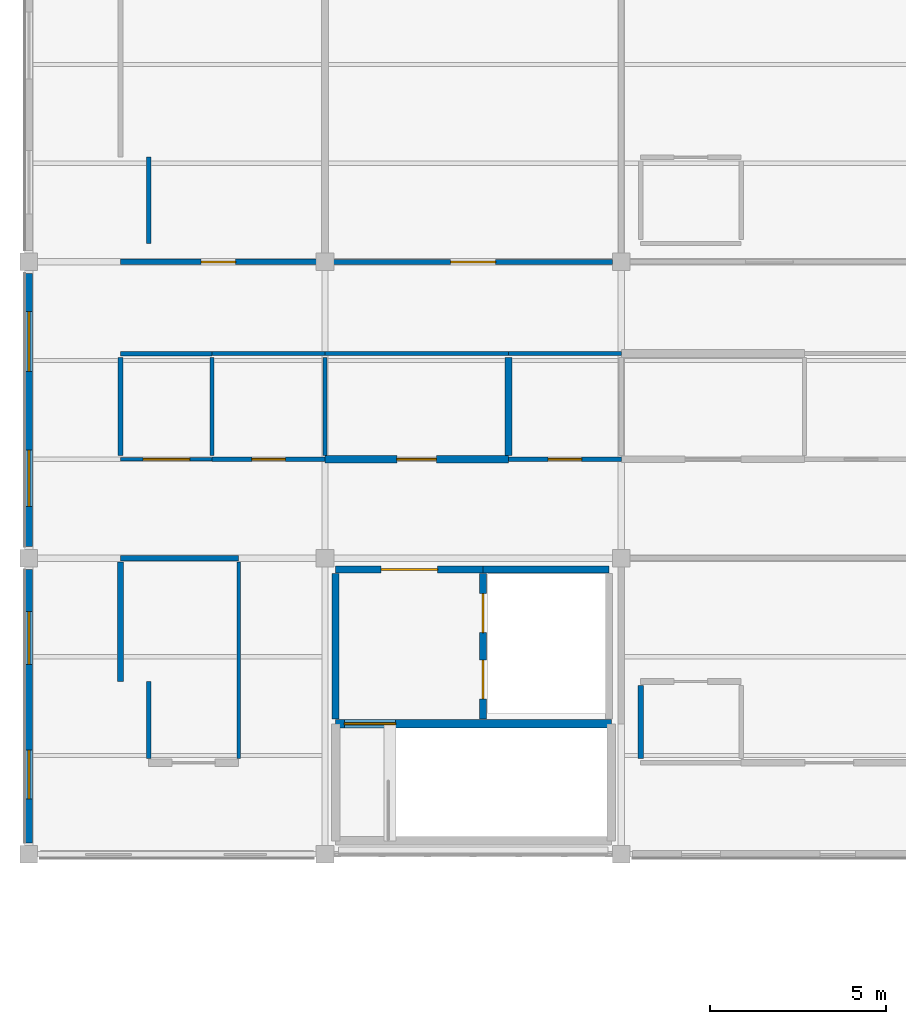
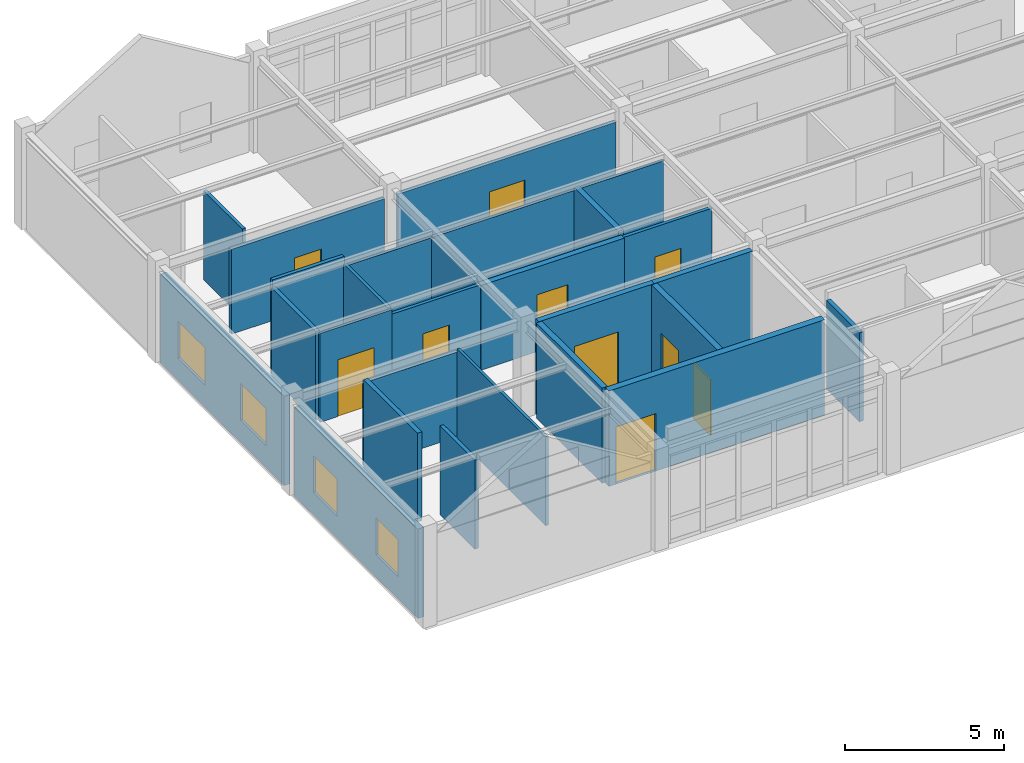
# One storey, part 40 of 45: 27 walls, 10 doors, 4 windows, 14 openings.
"""IFC4 building model written with IfcOpenShell, lengths in metres."""

from ifc_helpers import new_model, si_unit, direction, frame, frame_2d, origin, place, context, subcontext, project, spatial, rectangle, extrude, material, layer, layer_set, type_object, element, fill, save


model = new_model("IFC4")

# Units and contexts
model_context = context("Model", 3, precision=1e-05, world=origin(), true_north=direction((0.0, 1.0)))
body_context = subcontext(model_context, "Body", "Model", "MODEL_VIEW")
ifc_project = project(units=[si_unit("LENGTHUNIT", "METRE"), si_unit("AREAUNIT", "SQUARE_METRE"), si_unit("VOLUMEUNIT", "CUBIC_METRE"), si_unit("PLANEANGLEUNIT", "RADIAN"), si_unit("MASSUNIT", "GRAM", prefix="KILO")], contexts=[model_context])

# Site, building, storey
site_placement = place(None, origin())
site = spatial("IfcSite", under=ifc_project, at=site_placement, CompositionType="ELEMENT")
building_placement = place(site_placement, origin())
building = spatial("IfcBuilding", under=site, at=building_placement, Name="Bramfleet General Hospital", CompositionType="ELEMENT")
storey_placement = place(building_placement, frame((0.0, 0.0, 30.300048828125)))
storey = spatial("IfcBuildingStorey", under=building, at=storey_placement, Name="L07", CompositionType="ELEMENT", Elevation=30.300048828125)

# Wall, openings, windows
ifc_material_1 = material(Name="Structural timber GL28h", Category="wood")
ifc_layer_1 = layer(ifc_material_1, 0.219970703125, Name="WT-EW-10")
ifc_layer_set_1 = layer_set([ifc_layer_1], Name="Structural timber GL28h")
wall_type_1 = type_object("IfcWallType", Name="WT-EW-10", PredefinedType="SOLIDWALL", material=ifc_layer_set_1)
wall_1_placement = place(storey_placement, frame((67.199951171875, 92.72509765625, 0.0), z_axis=(0.0, 0.0, 1.0), x_axis=(0.0, 1.0, 0.0)))
wall_1 = element("IfcWall", 1, at=wall_1_placement, inside=storey, type_object=wall_type_1, Name="L07 Exterior Wall 433", PredefinedType="SOLIDWALL", context=body_context, shape_type="SweptSolid", body=[
    extrude(rectangle(XDim=7.75, YDim=0.219970703125, at=frame_2d((3.875, 0.0))), origin(), (0.0, 0.0, 1.0), 3.419921875),
])
opening_1_placement = place(wall_1_placement, frame((1.237548828125, 0.0, 0.85009765625)))
opening_1 = element("IfcOpeningElement", 2, at=opening_1_placement, cuts=wall_1, Name="Opening W-15", PredefinedType="OPENING", context=body_context, shape_type="SweptSolid", body=[
    extrude(rectangle(XDim=1.39990234375, YDim=1.419921875, at=frame_2d((0.699951171875, 0.7099609375))), frame((0.0, 0.119873046875, 0.0), z_axis=(0.0, -1.0, 0.0), x_axis=(1.0, 0.0, 0.0)), (0.0, 0.0, 1.0), 0.239990234375),
])
opening_2_placement = place(wall_1_placement, frame((5.0625, 0.0, 0.85009765625)))
opening_2 = element("IfcOpeningElement", 3, at=opening_2_placement, cuts=wall_1, Name="Opening W-16", PredefinedType="OPENING", context=body_context, shape_type="SweptSolid", body=[
    extrude(rectangle(XDim=1.5, YDim=1.419921875, at=frame_2d((0.75, 0.7099609375))), frame((0.0, 0.119873046875, 0.0), z_axis=(0.0, -1.0, 0.0), x_axis=(1.0, 0.0, 0.0)), (0.0, 0.0, 1.0), 0.239990234375),
])
ifc_material_2 = material(Name="Anodised aluminium and low-E triple glazing", Category="aluminium")
window_type_1 = type_object("IfcWindowType", Name="WIN-W-15", PartitioningType="SINGLE_PANEL", PredefinedType="WINDOW", material=ifc_material_2)
window_1_placement = place(opening_1_placement, origin())
window_1 = element("IfcWindow", 4, at=window_1_placement, inside=storey, type_object=window_type_1, Name="L07 Facade Window WIN-L07-433-1", OverallHeight=1.419921875, OverallWidth=1.39990234375, PartitioningType="SINGLE_PANEL", PredefinedType="WINDOW", context=body_context, shape_type="SweptSolid", body=[
    extrude(rectangle(XDim=1.39990234375, YDim=1.419921875, at=frame_2d((0.699951171875, 0.7099609375))), frame((0.0, 0.030029296875, 0.0), z_axis=(0.0, -1.0, 0.0), x_axis=(1.0, 0.0, 0.0)), (0.0, 0.0, 1.0), 0.06005859375),
])
fill(opening_1, window_1)
window_type_2 = type_object("IfcWindowType", Name="WIN-W-16", PartitioningType="SINGLE_PANEL", PredefinedType="WINDOW", material=ifc_material_2)
window_2_placement = place(opening_2_placement, origin())
window_2 = element("IfcWindow", 5, at=window_2_placement, inside=storey, type_object=window_type_2, Name="L07 Facade Window WIN-L07-433-2", OverallHeight=1.419921875, OverallWidth=1.5, PartitioningType="SINGLE_PANEL", PredefinedType="WINDOW", context=body_context, shape_type="SweptSolid", body=[
    extrude(rectangle(XDim=1.5, YDim=1.419921875, at=frame_2d((0.75, 0.7099609375))), frame((0.0, 0.030029296875, 0.0), z_axis=(0.0, -1.0, 0.0), x_axis=(1.0, 0.0, 0.0)), (0.0, 0.0, 1.0), 0.06005859375),
])
fill(opening_2, window_2)

wall_2_placement = place(storey_placement, frame((67.199951171875, 101.125, 0.0), z_axis=(0.0, 0.0, 1.0), x_axis=(0.0, 1.0, 0.0)))
wall_2 = element("IfcWall", 6, at=wall_2_placement, inside=storey, type_object=wall_type_1, Name="L07 Exterior Wall 434", PredefinedType="SOLIDWALL", context=body_context, shape_type="SweptSolid", body=[
    extrude(rectangle(XDim=7.75, YDim=0.219970703125, at=frame_2d((3.875, 0.0))), origin(), (0.0, 0.0, 1.0), 3.419921875),
])
opening_3_placement = place(wall_2_placement, frame((1.137451171875, 0.0, 0.85009765625)))
opening_3 = element("IfcOpeningElement", 7, at=opening_3_placement, cuts=wall_2, Name="Opening W-17", PredefinedType="OPENING", context=body_context, shape_type="SweptSolid", body=[
    extrude(rectangle(XDim=1.60009765625, YDim=1.419921875, at=frame_2d((0.800048828125, 0.7099609375))), frame((0.0, 0.119873046875, 0.0), z_axis=(0.0, -1.0, 0.0), x_axis=(1.0, 0.0, 0.0)), (0.0, 0.0, 1.0), 0.239990234375),
])
opening_4_placement = place(wall_2_placement, frame((4.96240234375, 0.0, 0.85009765625)))
opening_4 = element("IfcOpeningElement", 8, at=opening_4_placement, cuts=wall_2, Name="Opening W-18", PredefinedType="OPENING", context=body_context, shape_type="SweptSolid", body=[
    extrude(rectangle(XDim=1.699951171875, YDim=1.419921875, at=frame_2d((0.85009765625, 0.7099609375))), frame((0.0, 0.119873046875, 0.0), z_axis=(0.0, -1.0, 0.0), x_axis=(1.0, 0.0, 0.0)), (0.0, 0.0, 1.0), 0.239990234375),
])
window_type_3 = type_object("IfcWindowType", Name="WIN-W-17", PartitioningType="SINGLE_PANEL", PredefinedType="WINDOW", material=ifc_material_2)
window_3_placement = place(opening_3_placement, origin())
window_3 = element("IfcWindow", 9, at=window_3_placement, inside=storey, type_object=window_type_3, Name="L07 Facade Window WIN-L07-434-1", OverallHeight=1.419921875, OverallWidth=1.60009765625, PartitioningType="SINGLE_PANEL", PredefinedType="WINDOW", context=body_context, shape_type="SweptSolid", body=[
    extrude(rectangle(XDim=1.60009765625, YDim=1.419921875, at=frame_2d((0.800048828125, 0.7099609375))), frame((0.0, 0.030029296875, 0.0), z_axis=(0.0, -1.0, 0.0), x_axis=(1.0, 0.0, 0.0)), (0.0, 0.0, 1.0), 0.06005859375),
])
fill(opening_3, window_3)
window_type_4 = type_object("IfcWindowType", Name="WIN-W-18", PartitioningType="SINGLE_PANEL", PredefinedType="WINDOW", material=ifc_material_2)
window_4_placement = place(opening_4_placement, origin())
window_4 = element("IfcWindow", 10, at=window_4_placement, inside=storey, type_object=window_type_4, Name="L07 Facade Window WIN-L07-434-2", OverallHeight=1.419921875, OverallWidth=1.699951171875, PartitioningType="SINGLE_PANEL", PredefinedType="WINDOW", context=body_context, shape_type="SweptSolid", body=[
    extrude(rectangle(XDim=1.699951171875, YDim=1.419921875, at=frame_2d((0.85009765625, 0.7099609375))), frame((0.0, 0.030029296875, 0.0), z_axis=(0.0, -1.0, 0.0), x_axis=(1.0, 0.0, 0.0)), (0.0, 0.0, 1.0), 0.06005859375),
])
fill(opening_4, window_4)

# Wall, openings, doors
ifc_material_3 = material(Name="Concrete C35/45", Category="concrete")
ifc_layer_2 = layer(ifc_material_3, 0.205078125, Name="WT-IW-02")
ifc_layer_set_2 = layer_set([ifc_layer_2], Name="Concrete C35/45")
wall_type_2 = type_object("IfcWallType", Name="WT-IW-02", PredefinedType="PARTITIONING", material=ifc_layer_set_2)
wall_3_placement = place(storey_placement, frame((80.080078125, 96.239990234375, 0.0), z_axis=(0.0, 0.0, 1.0), x_axis=(0.0, 1.0, 0.0)))
wall_3 = element("IfcWall", 11, at=wall_3_placement, inside=storey, type_object=wall_type_2, Name="L07 C5 Lobby East Shaft Wall", PredefinedType="PARTITIONING", context=body_context, shape_type="SweptSolid", body=[
    extrude(rectangle(XDim=4.1201171875, YDim=0.205078125, at=frame_2d((2.06005859375, 0.0))), origin(), (0.0, 0.0, 1.0), 3.64990234375),
])
opening_5_placement = place(wall_3_placement, frame((0.570068359375, 0.0, 0.0)))
opening_5 = element("IfcOpeningElement", 12, at=opening_5_placement, cuts=wall_3, Name="Opening LD-PL-02-L07", PredefinedType="OPENING", context=body_context, shape_type="SweptSolid", body=[
    extrude(rectangle(XDim=1.10009765625, YDim=2.14990234375, at=frame_2d((0.550048828125, 1.074951171875))), frame((0.0, 0.112548828125, 0.0), z_axis=(0.0, -1.0, 0.0), x_axis=(1.0, 0.0, 0.0)), (0.0, 0.0, 1.0), 0.22509765625),
])
opening_6_placement = place(wall_3_placement, frame((2.449951171875, 0.0, 0.0)))
opening_6 = element("IfcOpeningElement", 13, at=opening_6_placement, cuts=wall_3, Name="Opening LD-PL-03-L07", PredefinedType="OPENING", context=body_context, shape_type="SweptSolid", body=[
    extrude(rectangle(XDim=1.10009765625, YDim=2.14990234375, at=frame_2d((0.550048828125, 1.074951171875))), frame((0.0, 0.112548828125, 0.0), z_axis=(0.0, -1.0, 0.0), x_axis=(1.0, 0.0, 0.0)), (0.0, 0.0, 1.0), 0.22509765625),
])
ifc_material_4 = material(Name="Brushed stainless steel 1.4301", Category="steel")
door_type_1 = type_object("IfcDoorType", Name="DR-LD-02", OperationType="NOTDEFINED", PredefinedType="DOOR", material=ifc_material_4)
door_1_placement = place(opening_5_placement, origin())
door_1 = element("IfcDoor", 14, at=door_1_placement, inside=storey, type_object=door_type_1, Name="L07 Lift PL-02 Sliding Landing Door", OperationType="SLIDING_TO_LEFT", OverallHeight=2.14990234375, OverallWidth=1.10009765625, PredefinedType="DOOR", context=body_context, shape_type="SweptSolid", body=[
    extrude(rectangle(XDim=1.10009765625, YDim=2.14990234375, at=frame_2d((0.550048828125, 1.074951171875))), frame((0.0, 0.02490234375, 0.0), z_axis=(0.0, -1.0, 0.0), x_axis=(1.0, 0.0, 0.0)), (0.0, 0.0, 1.0), 0.050048828125),
])
fill(opening_5, door_1)
door_2_placement = place(opening_6_placement, origin())
door_2 = element("IfcDoor", 15, at=door_2_placement, inside=storey, type_object=door_type_1, Name="L07 Lift PL-03 Sliding Landing Door", OperationType="SLIDING_TO_LEFT", OverallHeight=2.14990234375, OverallWidth=1.10009765625, PredefinedType="DOOR", context=body_context, shape_type="SweptSolid", body=[
    extrude(rectangle(XDim=1.10009765625, YDim=2.14990234375, at=frame_2d((0.550048828125, 1.074951171875))), frame((0.0, 0.02490234375, 0.0), z_axis=(0.0, -1.0, 0.0), x_axis=(1.0, 0.0, 0.0)), (0.0, 0.0, 1.0), 0.050048828125),
])
fill(opening_6, door_2)

# Walls
wall_4_placement = place(storey_placement, frame((80.080078125, 100.47998046875, 0.0), z_axis=(0.0, 0.0, 1.0), x_axis=(1.0, 0.0, 0.0)))
element("IfcWall", 16, at=wall_4_placement, inside=storey, type_object=wall_type_2, Name="L07 C5 Lift Shaft North Wall", PredefinedType="PARTITIONING", context=body_context, shape_type="SweptSolid", body=[
    extrude(rectangle(XDim=3.56982421875, YDim=0.205078125, at=frame_2d((1.784912109375, 0.0))), origin(), (0.0, 0.0, 1.0), 3.64990234375),
])
wall_5_placement = place(storey_placement, frame((75.89990234375, 96.239990234375, 0.0), z_axis=(0.0, 0.0, 1.0), x_axis=(0.0, 1.0, 0.0)))
element("IfcWall", 17, at=wall_5_placement, inside=storey, type_object=wall_type_2, Name="L07 C5 Lobby West Compartment Wall", PredefinedType="PARTITIONING", context=body_context, shape_type="SweptSolid", body=[
    extrude(rectangle(XDim=4.1201171875, YDim=0.205078125, at=frame_2d((2.06005859375, 0.0))), origin(), (0.0, 0.0, 1.0), 3.64990234375),
])

# Wall, opening, door
wall_6_placement = place(storey_placement, frame((75.89990234375, 100.47998046875, 0.0), z_axis=(0.0, 0.0, 1.0), x_axis=(1.0, 0.0, 0.0)))
wall_6 = element("IfcWall", 18, at=wall_6_placement, inside=storey, type_object=wall_type_2, Name="L07 C5 Lobby North Compartment Wall", PredefinedType="PARTITIONING", context=body_context, shape_type="SweptSolid", body=[
    extrude(rectangle(XDim=4.18017578125, YDim=0.205078125, at=frame_2d((2.090087890625, 0.0))), origin(), (0.0, 0.0, 1.0), 3.64990234375),
])
opening_7_placement = place(wall_6_placement, frame((1.2900390625, 0.0, 0.0)))
opening_7 = element("IfcOpeningElement", 19, at=opening_7_placement, cuts=wall_6, Name="Opening D0072", PredefinedType="OPENING", context=body_context, shape_type="SweptSolid", body=[
    extrude(rectangle(XDim=1.60009765625, YDim=2.25, at=frame_2d((0.800048828125, 1.125))), frame((0.0, 0.112548828125, 0.0), z_axis=(0.0, -1.0, 0.0), x_axis=(1.0, 0.0, 0.0)), (0.0, 0.0, 1.0), 0.22509765625),
])
ifc_material_5 = material(Name="Stainless steel and acoustic timber leaf", Category="steel")
door_type_2 = type_object("IfcDoorType", Name="DR-D-04", OperationType="NOTDEFINED", PredefinedType="DOOR", material=ifc_material_5)
door_3_placement = place(opening_7_placement, origin())
door_3 = element("IfcDoor", 20, at=door_3_placement, inside=storey, type_object=door_type_2, Name="L07 C5 Lobby Fire Door D0072", OperationType="DOUBLE_SWING_LEFT", OverallHeight=2.25, OverallWidth=1.60009765625, PredefinedType="DOOR", context=body_context, shape_type="SweptSolid", body=[
    extrude(rectangle(XDim=1.60009765625, YDim=2.25, at=frame_2d((0.800048828125, 1.125))), frame((0.0, 0.02490234375, 0.0), z_axis=(0.0, -1.0, 0.0), x_axis=(1.0, 0.0, 0.0)), (0.0, 0.0, 1.0), 0.050048828125),
])
fill(opening_7, door_3)

wall_7_placement = place(storey_placement, frame((75.60009765625, 103.60009765625, 0.0), z_axis=(0.0, 0.0, 1.0), x_axis=(1.0, 0.0, 0.0)))
wall_7 = element("IfcWall", 21, at=wall_7_placement, inside=storey, type_object=wall_type_2, Name="L07 Interior Partition IW-L07-4214", PredefinedType="PARTITIONING", context=body_context, shape_type="SweptSolid", body=[
    extrude(rectangle(XDim=5.199951171875, YDim=0.205078125, at=frame_2d((2.60009765625, 0.0))), origin(), (0.0, 0.0, 1.0), 3.25),
])
opening_8_placement = place(wall_7_placement, frame((2.0400390625, 0.0, 0.0)))
opening_8 = element("IfcOpeningElement", 22, at=opening_8_placement, cuts=wall_7, Name="Opening D1531", PredefinedType="OPENING", context=body_context, shape_type="SweptSolid", body=[
    extrude(rectangle(XDim=1.1201171875, YDim=2.179931640625, at=frame_2d((0.56005859375, 1.08984375))), frame((0.0, 0.112548828125, 0.0), z_axis=(0.0, -1.0, 0.0), x_axis=(1.0, 0.0, 0.0)), (0.0, 0.0, 1.0), 0.22509765625),
])
door_type_3 = type_object("IfcDoorType", Name="DR-D-27", OperationType="NOTDEFINED", PredefinedType="DOOR", material=ifc_material_5)
door_4_placement = place(opening_8_placement, origin())
door_4 = element("IfcDoor", 23, at=door_4_placement, inside=storey, type_object=door_type_3, Name="Flat-Link Nurse Station and Medication Hub L07-0912 Door D1531", OperationType="SINGLE_SWING_RIGHT", OverallHeight=2.179931640625, OverallWidth=1.1201171875, PredefinedType="DOOR", context=body_context, shape_type="SweptSolid", body=[
    extrude(rectangle(XDim=1.1201171875, YDim=2.179931640625, at=frame_2d((0.56005859375, 1.08984375))), frame((0.0, 0.02490234375, 0.0), z_axis=(0.0, -1.0, 0.0), x_axis=(1.0, 0.0, 0.0)), (0.0, 0.0, 1.0), 0.050048828125),
])
fill(opening_8, door_4)

# Walls
ifc_layer_3 = layer(ifc_material_3, 0.18994140625, Name="WT-IW-03")
ifc_layer_set_3 = layer_set([ifc_layer_3], Name="Concrete C35/45")
wall_type_3 = type_object("IfcWallType", Name="WT-IW-03", PredefinedType="PARTITIONING", material=ifc_layer_set_3)
wall_8_placement = place(storey_placement, frame((80.800048828125, 103.715087890625, 0.0), z_axis=(0.0, 0.0, 1.0), x_axis=(0.0, 1.0, 0.0)))
element("IfcWall", 24, at=wall_8_placement, inside=storey, type_object=wall_type_3, Name="L07 Interior Partition IW-L07-4251", PredefinedType="PARTITIONING", context=body_context, shape_type="SweptSolid", body=[
    extrude(rectangle(XDim=2.77001953125, YDim=0.18994140625, at=frame_2d((1.385009765625, 0.0))), origin(), (0.0, 0.0, 1.0), 3.409912109375),
])
ifc_material_6 = material(Name="Gypsum plasterboard on acoustic steel studs", Category="steel")
ifc_layer_4 = layer(ifc_material_6, 0.159912109375, Name="WT-IW-06")
ifc_layer_set_4 = layer_set([ifc_layer_4], Name="Gypsum plasterboard on acoustic steel studs")
wall_type_4 = type_object("IfcWallType", Name="WT-IW-06", PredefinedType="PARTITIONING", material=ifc_layer_set_4)
wall_9_placement = place(storey_placement, frame((69.800048828125, 100.800048828125, 0.0), z_axis=(0.0, 0.0, 1.0), x_axis=(1.0, 0.0, 0.0)))
element("IfcWall", 25, at=wall_9_placement, inside=storey, type_object=wall_type_4, Name="L07 Interior Partition IW-L07-4206", PredefinedType="PARTITIONING", context=body_context, shape_type="SweptSolid", body=[
    extrude(rectangle(XDim=3.349853515625, YDim=0.159912109375, at=frame_2d((1.6748046875, 0.0))), origin(), (0.0, 0.0, 1.0), 3.25),
])
wall_10_placement = place(storey_placement, frame((69.800048828125, 97.300048828125, 0.0), z_axis=(0.0, 0.0, 1.0), x_axis=(0.0, 1.0, 0.0)))
element("IfcWall", 26, at=wall_10_placement, inside=storey, type_object=wall_type_4, Name="L07 Interior Partition IW-L07-4242", PredefinedType="PARTITIONING", context=body_context, shape_type="SweptSolid", body=[
    extrude(rectangle(XDim=3.385009765625, YDim=0.159912109375, at=frame_2d((1.6923828125, 0.0))), origin(), (0.0, 0.0, 1.0), 3.409912109375),
])

# Wall, opening, door
ifc_layer_5 = layer(ifc_material_6, 0.14990234375, Name="WT-IW-07")
ifc_layer_set_5 = layer_set([ifc_layer_5], Name="Gypsum plasterboard on acoustic steel studs")
wall_type_5 = type_object("IfcWallType", Name="WT-IW-07", PredefinedType="PARTITIONING", material=ifc_layer_set_5)
wall_11_placement = place(storey_placement, frame((69.800048828125, 109.199951171875, 0.0), z_axis=(0.0, 0.0, 1.0), x_axis=(1.0, 0.0, 0.0)))
wall_11 = element("IfcWall", 27, at=wall_11_placement, inside=storey, type_object=wall_type_5, Name="L07 Interior Partition IW-L07-4231", PredefinedType="PARTITIONING", context=body_context, shape_type="SweptSolid", body=[
    extrude(rectangle(XDim=5.554931640625, YDim=0.14990234375, at=frame_2d((2.77734375, 0.0))), origin(), (0.0, 0.0, 1.0), 3.25),
])
opening_9_placement = place(wall_11_placement, frame((2.28759765625, 0.0, 0.0)))
opening_9 = element("IfcOpeningElement", 28, at=opening_9_placement, cuts=wall_11, Name="Opening D1530", PredefinedType="OPENING", context=body_context, shape_type="SweptSolid", body=[
    extrude(rectangle(XDim=0.97998046875, YDim=2.1201171875, at=frame_2d((0.489990234375, 1.06005859375))), frame((0.0, 0.0849609375, 0.0), z_axis=(0.0, -1.0, 0.0), x_axis=(1.0, 0.0, 0.0)), (0.0, 0.0, 1.0), 0.169921875),
])
door_type_4 = type_object("IfcDoorType", Name="DR-D-26", OperationType="NOTDEFINED", PredefinedType="DOOR", material=ifc_material_5)
door_5_placement = place(opening_9_placement, origin())
door_5 = element("IfcDoor", 29, at=door_5_placement, inside=storey, type_object=door_type_4, Name="Gabled Patient House PH-01 Bedroom 0813 Door D1530", OperationType="SINGLE_SWING_LEFT", OverallHeight=2.1201171875, OverallWidth=0.97998046875, PredefinedType="DOOR", context=body_context, shape_type="SweptSolid", body=[
    extrude(rectangle(XDim=0.97998046875, YDim=2.1201171875, at=frame_2d((0.489990234375, 1.06005859375))), frame((0.0, 0.02490234375, 0.0), z_axis=(0.0, -1.0, 0.0), x_axis=(1.0, 0.0, 0.0)), (0.0, 0.0, 1.0), 0.050048828125),
])
fill(opening_9, door_5)

# Walls
wall_12_placement = place(storey_placement, frame((69.800048828125, 103.715087890625, 0.0), z_axis=(0.0, 0.0, 1.0), x_axis=(0.0, 1.0, 0.0)))
element("IfcWall", 30, at=wall_12_placement, inside=storey, type_object=wall_type_5, Name="L07 Interior Partition IW-L07-4243", PredefinedType="PARTITIONING", context=body_context, shape_type="SweptSolid", body=[
    extrude(rectangle(XDim=2.77001953125, YDim=0.14990234375, at=frame_2d((1.385009765625, 0.0))), origin(), (0.0, 0.0, 1.0), 3.409912109375),
])
wall_13_placement = place(storey_placement, frame((84.550048828125, 95.114990234375, 0.0), z_axis=(0.0, 0.0, 1.0), x_axis=(0.0, 1.0, 0.0)))
element("IfcWall", 31, at=wall_13_placement, inside=storey, type_object=wall_type_5, Name="L07 Interior Partition IW-L07-4255", PredefinedType="PARTITIONING", context=body_context, shape_type="SweptSolid", body=[
    extrude(rectangle(XDim=2.070068359375, YDim=0.14990234375, at=frame_2d((1.03515625, 0.0))), origin(), (0.0, 0.0, 1.0), 3.409912109375),
])

# Wall, opening, door
ifc_layer_6 = layer(ifc_material_6, 0.139892578125, Name="WT-IW-08")
ifc_layer_set_6 = layer_set([ifc_layer_6], Name="Gypsum plasterboard on acoustic steel studs")
wall_type_6 = type_object("IfcWallType", Name="WT-IW-08", PredefinedType="PARTITIONING", material=ifc_layer_set_6)
wall_14_placement = place(storey_placement, frame((75.844970703125, 109.199951171875, 0.0), z_axis=(0.0, 0.0, 1.0), x_axis=(1.0, 0.0, 0.0)))
wall_14 = element("IfcWall", 32, at=wall_14_placement, inside=storey, type_object=wall_type_6, Name="L07 Interior Partition IW-L07-4232", PredefinedType="PARTITIONING", context=body_context, shape_type="SweptSolid", body=[
    extrude(rectangle(XDim=7.909912109375, YDim=0.139892578125, at=frame_2d((3.955078125, 0.0))), origin(), (0.0, 0.0, 1.0), 3.25),
])
opening_10_placement = place(wall_14_placement, frame((3.31494140625, 0.0, 0.0)))
opening_10 = element("IfcOpeningElement", 33, at=opening_10_placement, cuts=wall_14, Name="Opening D1533", PredefinedType="OPENING", context=body_context, shape_type="SweptSolid", body=[
    extrude(rectangle(XDim=1.280029296875, YDim=2.179931640625, at=frame_2d((0.64013671875, 1.08984375))), frame((0.0, 0.079833984375, 0.0), z_axis=(0.0, -1.0, 0.0), x_axis=(1.0, 0.0, 0.0)), (0.0, 0.0, 1.0), 0.159912109375),
])
door_type_5 = type_object("IfcDoorType", Name="DR-D-29", OperationType="NOTDEFINED", PredefinedType="DOOR", material=ifc_material_5)
door_6_placement = place(opening_10_placement, origin())
door_6 = element("IfcDoor", 34, at=door_6_placement, inside=storey, type_object=door_type_5, Name="Flat-Link Nurse Station and Medication Hub L07-0913 Door D1533", OperationType="SINGLE_SWING_RIGHT", OverallHeight=2.179931640625, OverallWidth=1.280029296875, PredefinedType="DOOR", context=body_context, shape_type="SweptSolid", body=[
    extrude(rectangle(XDim=1.280029296875, YDim=2.179931640625, at=frame_2d((0.64013671875, 1.08984375))), frame((0.0, 0.02490234375, 0.0), z_axis=(0.0, -1.0, 0.0), x_axis=(1.0, 0.0, 0.0)), (0.0, 0.0, 1.0), 0.050048828125),
])
fill(opening_10, door_6)

# Walls
ifc_layer_7 = layer(ifc_material_6, 0.1298828125, Name="WT-IW-09")
ifc_layer_set_7 = layer_set([ifc_layer_7], Name="Gypsum plasterboard on acoustic steel studs")
wall_type_7 = type_object("IfcWallType", Name="WT-IW-09", PredefinedType="PARTITIONING", material=ifc_layer_set_7)
wall_15_placement = place(storey_placement, frame((69.800048828125, 106.60009765625, 0.0), z_axis=(0.0, 0.0, 1.0), x_axis=(1.0, 0.0, 0.0)))
element("IfcWall", 35, at=wall_15_placement, inside=storey, type_object=wall_type_7, Name="L07 Interior Partition IW-L07-4221", PredefinedType="PARTITIONING", context=body_context, shape_type="SweptSolid", body=[
    extrude(rectangle(XDim=2.599853515625, YDim=0.1298828125, at=frame_2d((1.2998046875, 0.0))), origin(), (0.0, 0.0, 1.0), 3.64990234375),
])
wall_16_placement = place(storey_placement, frame((70.60009765625, 95.114990234375, 0.0), z_axis=(0.0, 0.0, 1.0), x_axis=(0.0, 1.0, 0.0)))
element("IfcWall", 36, at=wall_16_placement, inside=storey, type_object=wall_type_7, Name="L07 Interior Partition IW-L07-4245", PredefinedType="PARTITIONING", context=body_context, shape_type="SweptSolid", body=[
    extrude(rectangle(XDim=2.18505859375, YDim=0.1298828125, at=frame_2d((1.092529296875, 0.0))), origin(), (0.0, 0.0, 1.0), 3.409912109375),
])

# Wall, opening, door
ifc_layer_8 = layer(ifc_material_6, 0.1201171875, Name="WT-IW-10")
ifc_layer_set_8 = layer_set([ifc_layer_8], Name="Gypsum plasterboard on acoustic steel studs")
wall_type_8 = type_object("IfcWallType", Name="WT-IW-10", PredefinedType="PARTITIONING", material=ifc_layer_set_8)
wall_17_placement = place(storey_placement, frame((72.39990234375, 103.60009765625, 0.0), z_axis=(0.0, 0.0, 1.0), x_axis=(1.0, 0.0, 0.0)))
wall_17 = element("IfcWall", 37, at=wall_17_placement, inside=storey, type_object=wall_type_8, Name="L07 Interior Partition IW-L07-4213", PredefinedType="PARTITIONING", context=body_context, shape_type="SweptSolid", body=[
    extrude(rectangle(XDim=3.2001953125, YDim=0.1201171875, at=frame_2d((1.60009765625, 0.0))), origin(), (0.0, 0.0, 1.0), 3.25),
])
opening_11_placement = place(wall_17_placement, frame((1.125, 0.0, 0.0)))
opening_11 = element("IfcOpeningElement", 38, at=opening_11_placement, cuts=wall_17, Name="Opening D1529", PredefinedType="OPENING", context=body_context, shape_type="SweptSolid", body=[
    extrude(rectangle(XDim=0.949951171875, YDim=2.10009765625, at=frame_2d((0.47509765625, 1.050048828125))), frame((0.0, 0.070068359375, 0.0), z_axis=(0.0, -1.0, 0.0), x_axis=(1.0, 0.0, 0.0)), (0.0, 0.0, 1.0), 0.14013671875),
])
door_type_6 = type_object("IfcDoorType", Name="DR-D-10", OperationType="NOTDEFINED", PredefinedType="DOOR", material=ifc_material_5)
door_7_placement = place(opening_11_placement, origin())
door_7 = element("IfcDoor", 39, at=door_7_placement, inside=storey, type_object=door_type_6, Name="Level 07 Accessible and Staff WC 0812 Door D1529", OperationType="SINGLE_SWING_LEFT", OverallHeight=2.10009765625, OverallWidth=0.949951171875, PredefinedType="DOOR", context=body_context, shape_type="SweptSolid", body=[
    extrude(rectangle(XDim=0.949951171875, YDim=2.10009765625, at=frame_2d((0.47509765625, 1.050048828125))), frame((0.0, 0.02490234375, 0.0), z_axis=(0.0, -1.0, 0.0), x_axis=(1.0, 0.0, 0.0)), (0.0, 0.0, 1.0), 0.050048828125),
])
fill(opening_11, door_7)

wall_18_placement = place(storey_placement, frame((80.800048828125, 103.60009765625, 0.0), z_axis=(0.0, 0.0, 1.0), x_axis=(1.0, 0.0, 0.0)))
wall_18 = element("IfcWall", 40, at=wall_18_placement, inside=storey, type_object=wall_type_8, Name="L07 Interior Partition IW-L07-4215", PredefinedType="PARTITIONING", context=body_context, shape_type="SweptSolid", body=[
    extrude(rectangle(XDim=3.199951171875, YDim=0.1201171875, at=frame_2d((1.60009765625, 0.0))), origin(), (0.0, 0.0, 1.0), 3.25),
])
opening_12_placement = place(wall_18_placement, frame((1.125, 0.0, 0.0)))
opening_12 = element("IfcOpeningElement", 41, at=opening_12_placement, cuts=wall_18, Name="Opening D1532", PredefinedType="OPENING", context=body_context, shape_type="SweptSolid", body=[
    extrude(rectangle(XDim=0.949951171875, YDim=2.10009765625, at=frame_2d((0.47509765625, 1.050048828125))), frame((0.0, 0.070068359375, 0.0), z_axis=(0.0, -1.0, 0.0), x_axis=(1.0, 0.0, 0.0)), (0.0, 0.0, 1.0), 0.14013671875),
])
door_8_placement = place(opening_12_placement, origin())
door_8 = element("IfcDoor", 42, at=door_8_placement, inside=storey, type_object=door_type_6, Name="Level 07 Accessible and Staff WC 0912 Door D1532", OperationType="SINGLE_SWING_LEFT", OverallHeight=2.10009765625, OverallWidth=0.949951171875, PredefinedType="DOOR", context=body_context, shape_type="SweptSolid", body=[
    extrude(rectangle(XDim=0.949951171875, YDim=2.10009765625, at=frame_2d((0.47509765625, 1.050048828125))), frame((0.0, 0.02490234375, 0.0), z_axis=(0.0, -1.0, 0.0), x_axis=(1.0, 0.0, 0.0)), (0.0, 0.0, 1.0), 0.050048828125),
])
fill(opening_12, door_8)

# Walls
wall_19_placement = place(storey_placement, frame((72.39990234375, 106.60009765625, 0.0), z_axis=(0.0, 0.0, 1.0), x_axis=(1.0, 0.0, 0.0)))
element("IfcWall", 43, at=wall_19_placement, inside=storey, type_object=wall_type_8, Name="L07 Interior Partition IW-L07-4222", PredefinedType="PARTITIONING", context=body_context, shape_type="SweptSolid", body=[
    extrude(rectangle(XDim=3.2001953125, YDim=0.1201171875, at=frame_2d((1.60009765625, 0.0))), origin(), (0.0, 0.0, 1.0), 3.25),
])
wall_20_placement = place(storey_placement, frame((80.800048828125, 106.60009765625, 0.0), z_axis=(0.0, 0.0, 1.0), x_axis=(1.0, 0.0, 0.0)))
element("IfcWall", 44, at=wall_20_placement, inside=storey, type_object=wall_type_8, Name="L07 Interior Partition IW-L07-4224", PredefinedType="PARTITIONING", context=body_context, shape_type="SweptSolid", body=[
    extrude(rectangle(XDim=3.199951171875, YDim=0.1201171875, at=frame_2d((1.60009765625, 0.0))), origin(), (0.0, 0.0, 1.0), 3.25),
])
wall_21_placement = place(storey_placement, frame((70.60009765625, 109.719970703125, 0.0), z_axis=(0.0, 0.0, 1.0), x_axis=(0.0, 1.0, 0.0)))
element("IfcWall", 45, at=wall_21_placement, inside=storey, type_object=wall_type_8, Name="L07 Interior Partition IW-L07-4246", PredefinedType="PARTITIONING", context=body_context, shape_type="SweptSolid", body=[
    extrude(rectangle(XDim=2.449951171875, YDim=0.1201171875, at=frame_2d((1.22509765625, 0.0))), origin(), (0.0, 0.0, 1.0), 3.409912109375),
])
wall_22_placement = place(storey_placement, frame((75.60009765625, 103.715087890625, 0.0), z_axis=(0.0, 0.0, 1.0), x_axis=(0.0, 1.0, 0.0)))
element("IfcWall", 46, at=wall_22_placement, inside=storey, type_object=wall_type_8, Name="L07 Interior Partition IW-L07-4249", PredefinedType="PARTITIONING", context=body_context, shape_type="SweptSolid", body=[
    extrude(rectangle(XDim=2.77001953125, YDim=0.1201171875, at=frame_2d((1.385009765625, 0.0))), origin(), (0.0, 0.0, 1.0), 3.25),
])
ifc_layer_9 = layer(ifc_material_6, 0.112060546875, Name="WT-IW-11")
ifc_layer_set_9 = layer_set([ifc_layer_9], Name="Gypsum plasterboard on acoustic steel studs")
wall_type_9 = type_object("IfcWallType", Name="WT-IW-11", PredefinedType="PARTITIONING", material=ifc_layer_set_9)
wall_23_placement = place(storey_placement, frame((75.60009765625, 106.60009765625, 0.0), z_axis=(0.0, 0.0, 1.0), x_axis=(1.0, 0.0, 0.0)))
element("IfcWall", 47, at=wall_23_placement, inside=storey, type_object=wall_type_9, Name="L07 Interior Partition IW-L07-4223", PredefinedType="PARTITIONING", context=body_context, shape_type="SweptSolid", body=[
    extrude(rectangle(XDim=5.199951171875, YDim=0.112060546875, at=frame_2d((2.60009765625, 0.0))), origin(), (0.0, 0.0, 1.0), 3.25),
])
wall_24_placement = place(storey_placement, frame((72.39990234375, 103.715087890625, 0.0), z_axis=(0.0, 0.0, 1.0), x_axis=(0.0, 1.0, 0.0)))
element("IfcWall", 48, at=wall_24_placement, inside=storey, type_object=wall_type_9, Name="L07 Interior Partition IW-L07-4247", PredefinedType="PARTITIONING", context=body_context, shape_type="SweptSolid", body=[
    extrude(rectangle(XDim=2.77001953125, YDim=0.112060546875, at=frame_2d((1.385009765625, 0.0))), origin(), (0.0, 0.0, 1.0), 3.409912109375),
])

# Wall, opening, door
ifc_layer_10 = layer(ifc_material_6, 0.10009765625, Name="WT-IW-12")
ifc_layer_set_10 = layer_set([ifc_layer_10], Name="Gypsum plasterboard on acoustic steel studs")
wall_type_10 = type_object("IfcWallType", Name="WT-IW-12", PredefinedType="PARTITIONING", material=ifc_layer_set_10)
wall_25_placement = place(storey_placement, frame((69.800048828125, 103.60009765625, 0.0), z_axis=(0.0, 0.0, 1.0), x_axis=(1.0, 0.0, 0.0)))
wall_25 = element("IfcWall", 49, at=wall_25_placement, inside=storey, type_object=wall_type_10, Name="L07 Interior Partition IW-L07-4212", PredefinedType="PARTITIONING", context=body_context, shape_type="SweptSolid", body=[
    extrude(rectangle(XDim=2.599853515625, YDim=0.10009765625, at=frame_2d((1.2998046875, 0.0))), origin(), (0.0, 0.0, 1.0), 3.409912109375),
])
opening_13_placement = place(wall_25_placement, frame((0.639892578125, 0.0, 0.0)))
opening_13 = element("IfcOpeningElement", 50, at=opening_13_placement, cuts=wall_25, Name="Opening D1528", PredefinedType="OPENING", context=body_context, shape_type="SweptSolid", body=[
    extrude(rectangle(XDim=1.320068359375, YDim=2.179931640625, at=frame_2d((0.66015625, 1.08984375))), frame((0.0, 0.06005859375, 0.0), z_axis=(0.0, -1.0, 0.0), x_axis=(1.0, 0.0, 0.0)), (0.0, 0.0, 1.0), 0.1201171875),
])
door_type_7 = type_object("IfcDoorType", Name="DR-D-24", OperationType="NOTDEFINED", PredefinedType="DOOR", material=ifc_material_5)
door_9_placement = place(opening_13_placement, origin())
door_9 = element("IfcDoor", 51, at=door_9_placement, inside=storey, type_object=door_type_7, Name="Flat-Link Nurse Station and Medication Hub L07-0812 Door D1528", OperationType="SINGLE_SWING_LEFT", OverallHeight=2.179931640625, OverallWidth=1.320068359375, PredefinedType="DOOR", context=body_context, shape_type="SweptSolid", body=[
    extrude(rectangle(XDim=1.320068359375, YDim=2.179931640625, at=frame_2d((0.66015625, 1.08984375))), frame((0.0, 0.02490234375, 0.0), z_axis=(0.0, -1.0, 0.0), x_axis=(1.0, 0.0, 0.0)), (0.0, 0.0, 1.0), 0.050048828125),
])
fill(opening_13, door_9)

# Wall
wall_26_placement = place(storey_placement, frame((73.14990234375, 95.114990234375, 0.0), z_axis=(0.0, 0.0, 1.0), x_axis=(0.0, 1.0, 0.0)))
element("IfcWall", 52, at=wall_26_placement, inside=storey, type_object=wall_type_10, Name="L07 Interior Partition IW-L07-4248", PredefinedType="PARTITIONING", context=body_context, shape_type="SweptSolid", body=[
    extrude(rectangle(XDim=5.570068359375, YDim=0.10009765625, at=frame_2d((2.78515625, 0.0))), origin(), (0.0, 0.0, 1.0), 3.409912109375),
])

# Wall, opening, door
ifc_material_7 = material(Name="Concrete C40/50", Category="concrete")
ifc_layer_11 = layer(ifc_material_7, 0.239990234375, Name="WT-SW-240")
ifc_layer_set_11 = layer_set([ifc_layer_11], Name="Concrete C40/50")
wall_type_11 = type_object("IfcWallType", Name="WT-SW-240", PredefinedType="SHEAR", material=ifc_layer_set_11)
wall_27_placement = place(storey_placement, frame((75.89990234375, 96.10009765625, 0.0), z_axis=(0.0, 0.0, 1.0), x_axis=(1.0, 0.0, 0.0)))
wall_27 = element("IfcWall", 53, at=wall_27_placement, inside=storey, type_object=wall_type_11, Name="L07 C5 Stair-Lobby Shear Wall", PredefinedType="SHEAR", context=body_context, shape_type="SweptSolid", body=[
    extrude(rectangle(XDim=7.820068359375, YDim=0.239990234375, at=frame_2d((3.91015625, 0.0))), origin(), (0.0, 0.0, 1.0), 3.659912109375),
])
opening_14_placement = place(wall_27_placement, frame((0.25, 0.0, 0.0)))
opening_14 = element("IfcOpeningElement", 54, at=opening_14_placement, cuts=wall_27, Name="Opening D0071", PredefinedType="OPENING", context=body_context, shape_type="SweptSolid", body=[
    extrude(rectangle(XDim=1.449951171875, YDim=2.199951171875, at=frame_2d((0.72509765625, 1.10009765625))), frame((0.0, 0.1298828125, 0.0), z_axis=(0.0, -1.0, 0.0), x_axis=(1.0, 0.0, 0.0)), (0.0, 0.0, 1.0), 0.260009765625),
])
door_type_8 = type_object("IfcDoorType", Name="DR-D-03", OperationType="NOTDEFINED", PredefinedType="DOOR", material=ifc_material_5)
door_10_placement = place(opening_14_placement, origin())
door_10 = element("IfcDoor", 55, at=door_10_placement, inside=storey, type_object=door_type_8, Name="L07 C5 Escape Stair Fire Door D0071", OperationType="SINGLE_SWING_RIGHT", OverallHeight=2.199951171875, OverallWidth=1.449951171875, PredefinedType="DOOR", context=body_context, shape_type="SweptSolid", body=[
    extrude(rectangle(XDim=1.449951171875, YDim=2.199951171875, at=frame_2d((0.72509765625, 1.10009765625))), frame((0.0, 0.02490234375, 0.0), z_axis=(0.0, -1.0, 0.0), x_axis=(1.0, 0.0, 0.0)), (0.0, 0.0, 1.0), 0.050048828125),
])
fill(opening_14, door_10)

save(model, "model.ifc")
